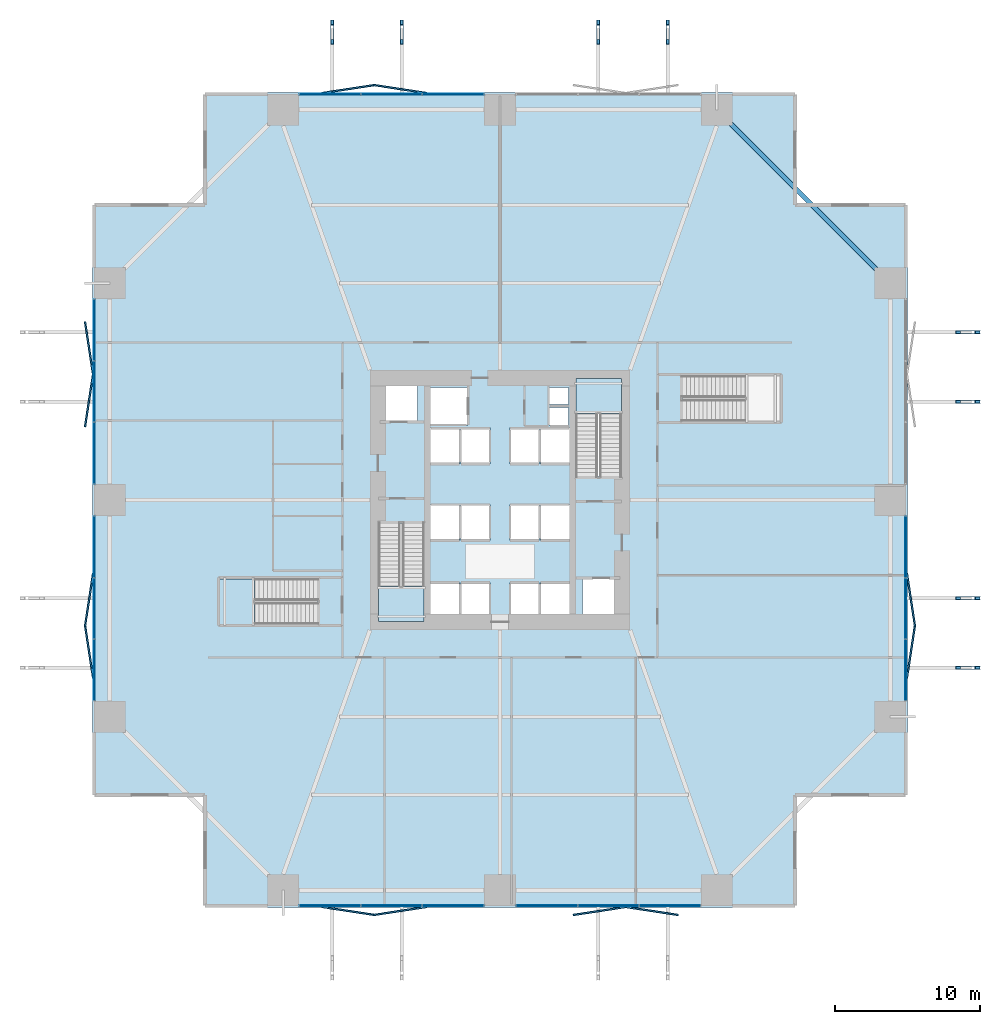
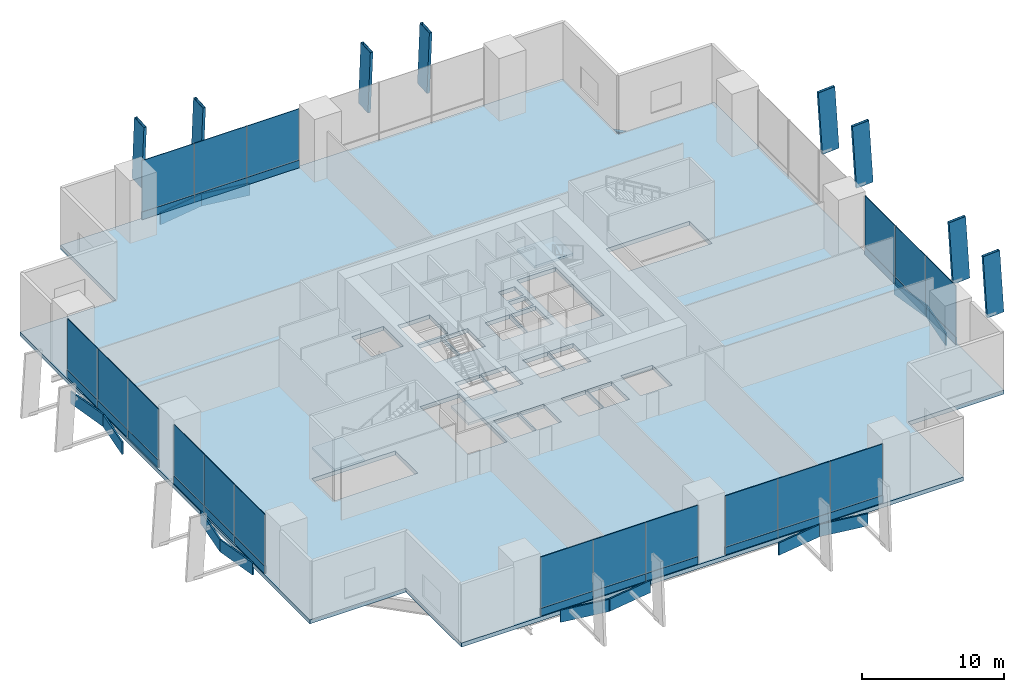
# One storey, part 18 of 24: 48 plates, 8 members, 4 slabs, 1 beam, 9 elements without a shape of their own.
"""IFC4 building model written with IfcOpenShell, lengths in metres."""

from ifc_helpers import new_model, si_unit, direction, frame, origin, origin_2d, place, context, subcontext, project, spatial, polyline, rectangle, hollow_rectangle, i_section, outline, extrude, material, layer, layer_set, material_profile, profile_set, type_object, element, aggregate, save


model = new_model("IFC4")

# Units and contexts
model_context = context("Model", 3, precision=1e-05, world=origin(), true_north=direction((0.0, 1.0)))
body_context = subcontext(model_context, "Body", "Model", "MODEL_VIEW")
ifc_project = project(units=[si_unit("LENGTHUNIT", "METRE"), si_unit("AREAUNIT", "SQUARE_METRE"), si_unit("VOLUMEUNIT", "CUBIC_METRE"), si_unit("PLANEANGLEUNIT", "RADIAN"), si_unit("MASSUNIT", "GRAM", prefix="KILO")], contexts=[model_context])

# Site, building, storey
site_placement = place(None, origin())
site = spatial("IfcSite", under=ifc_project, at=site_placement, CompositionType="ELEMENT")
building_placement = place(site_placement, origin())
building = spatial("IfcBuilding", under=site, at=building_placement, Name="Belovzor Exchange Tower", CompositionType="ELEMENT")
storey_placement = place(building_placement, frame((0.0, 0.0, 13.800048828125)))
storey = spatial("IfcBuildingStorey", under=building, at=storey_placement, Name="L03", CompositionType="ELEMENT", Elevation=13.800048828125)

# Members
ifc_material_1 = material(Name="Extruded Architectural Terracotta on Steel S355 Carrier", Category="masonry")
ifc_material_profile_1 = material_profile(ifc_material_1, hollow_rectangle(XDim=0.219970703125, YDim=1.35009765625, WallThickness=0.013916015625, at=origin_2d()))
ifc_profile_set_1 = profile_set([ifc_material_profile_1], Name="Extruded Architectural Terracotta on Steel S355 Carrier")
member_type = type_object("IfcMemberType", Name="Base Arc Sweeping Terracotta Pylon Fin 1450", PredefinedType="USERDEFINED", material=ifc_profile_set_1)
for number, where, z_axis, x_axis, name in (
    (1, (17.199951171875, 61.340087890625, -0.35009765625), (0.0, -0.062493460022, 0.998045373445), (1.0, 0.0, 0.0), "FIN-TC145 Terracotta Facade Fin L03 N1"),
    (2, (61.340087890625, 17.199951171875, -0.35009765625), (-0.062493460022, 0.0, 0.998045373445), (0.0, -1.0, 0.0), "FIN-TC145 Terracotta Facade Fin L03 E1"),
    (3, (22.0, 61.340087890625, -0.35009765625), (0.0, -0.062493460022, 0.998045373445), (1.0, 0.0, 0.0), "FIN-TC145 Terracotta Facade Fin L03 N2"),
    (4, (61.340087890625, 22.0, -0.35009765625), (-0.062493460022, 0.0, 0.998045373445), (0.0, -1.0, 0.0), "FIN-TC145 Terracotta Facade Fin L03 E2"),
    (5, (35.60009765625, 61.340087890625, -0.35009765625), (0.0, -0.062493460022, 0.998045373445), (1.0, 0.0, 0.0), "FIN-TC145 Terracotta Facade Fin L03 N3"),
    (6, (61.340087890625, 35.60009765625, -0.35009765625), (-0.062493460022, 0.0, 0.998045373445), (0.0, -1.0, 0.0), "FIN-TC145 Terracotta Facade Fin L03 E3"),
    (7, (40.39990234375, 61.340087890625, -0.35009765625), (0.0, -0.062493460022, 0.998045373445), (1.0, 0.0, 0.0), "FIN-TC145 Terracotta Facade Fin L03 N4"),
    (8, (61.340087890625, 40.39990234375, -0.35009765625), (-0.062493460022, 0.0, 0.998045373445), (0.0, -1.0, 0.0), "FIN-TC145 Terracotta Facade Fin L03 E4"),
):
    element("IfcMember", number, at=place(storey_placement, frame(where, z_axis=z_axis, x_axis=x_axis)), inside=storey, type_object=member_type, Name=name, ObjectType="FIN", PredefinedType="USERDEFINED", context=body_context, shape_type="SweptSolid", body=[
        extrude(hollow_rectangle(XDim=0.219970703125, YDim=1.35009765625, WallThickness=0.013916015625, at=origin_2d()), origin(), (0.0, 0.0, 1.0), 5.41064453125),
    ])

# Beam
ifc_material_2 = material(Name="Steel S460", Category="steel")
ifc_material_profile_2 = material_profile(ifc_material_2, i_section(OverallWidth=0.300048828125, OverallDepth=1.0, WebThickness=0.02099609375, FlangeThickness=0.0400390625, at=origin_2d()))
ifc_profile_set_2 = profile_set([ifc_material_profile_2], Name="Steel S460")
beam_type = type_object("IfcBeamType", Name="Podium Exchange Hall Ring Girder HEM 1000", PredefinedType="BEAM", material=ifc_profile_set_2)
beam_placement = place(storey_placement, frame((55.800048828125, 43.800048828125, -0.85009765625), z_axis=(-0.707106781187, 0.707106781187, 0.0), x_axis=(-0.707106781187, -0.707106781187, 0.0)))
element("IfcBeam", 9, at=beam_placement, inside=storey, type_object=beam_type, Name="PG-1 Podium Exchange Hall Ring Girder HEM 1000", PredefinedType="BEAM", context=body_context, shape_type="SweptSolid", body=[
    extrude(i_section(OverallWidth=0.300048828125, OverallDepth=1.0, WebThickness=0.02099609375, FlangeThickness=0.0400390625, at=origin_2d()), origin(), (0.0, 0.0, 1.0), 16.970458984375),
])

# Plates
ifc_material_3 = material(Name="Extruded Architectural Terracotta", Category="masonry")
ifc_layer_1 = layer(ifc_material_3, 0.1201171875)
ifc_layer_set_1 = layer_set([ifc_layer_1], Name="Extruded Architectural Terracotta")
plate_type_1 = type_object("IfcPlateType", Name="Folded Zigzag Terracotta Spandrel Louvre 80", PredefinedType="USERDEFINED", material=ifc_layer_set_1)
for number, where, z_axis, x_axis, name in (
    (10, (18.300048828125, 0.364990234375, -1.03515625), (0.0, 0.0, 1.0), (0.98853081729, -0.151019281113, 0.0), "LVR-ZZ1 Zigzag Terracotta Spandrel Louvre L03 S1A"),
    (11, (21.89990234375, 0.364990234375, -1.03515625), (0.0, 0.0, 1.0), (0.98853081729, 0.151019281113, 0.0), "LVR-ZZ1 Zigzag Terracotta Spandrel Louvre L03 S1B"),
    (12, (18.300048828125, 57.235107421875, -1.03515625), (0.0, 0.0, 1.0), (0.98853081729, 0.151019281113, 0.0), "LVR-ZZ1 Zigzag Terracotta Spandrel Louvre L03 N1A"),
    (13, (21.89990234375, 57.235107421875, -1.03515625), (0.0, 0.0, 1.0), (0.98853081729, -0.151019281113, 0.0), "LVR-ZZ1 Zigzag Terracotta Spandrel Louvre L03 N1B"),
    (14, (0.364990234375, 18.300048828125, -1.03515625), (0.0, 0.0, 1.0), (-0.151019281113, 0.98853081729, 0.0), "LVR-ZZ1 Zigzag Terracotta Spandrel Louvre L03 W1A"),
    (15, (0.364990234375, 21.89990234375, -1.03515625), (0.0, 0.0, 1.0), (0.151019281113, 0.98853081729, 0.0), "LVR-ZZ1 Zigzag Terracotta Spandrel Louvre L03 W1B"),
    (16, (57.235107421875, 18.300048828125, -1.03515625), (0.0, 0.0, 1.0), (0.151019281113, 0.98853081729, 0.0), "LVR-ZZ1 Zigzag Terracotta Spandrel Louvre L03 E1A"),
    (17, (57.235107421875, 21.89990234375, -1.03515625), (0.0, 0.0, 1.0), (-0.151019281113, 0.98853081729, 0.0), "LVR-ZZ1 Zigzag Terracotta Spandrel Louvre L03 E1B"),
    (18, (35.699951171875, 0.364990234375, -1.03515625), (0.0, 0.0, 1.0), (0.98853081729, 0.151019281113, 0.0), "LVR-ZZ1 Zigzag Terracotta Spandrel Louvre L03 S2A"),
    (19, (39.300048828125, 0.364990234375, -1.03515625), (0.0, 0.0, 1.0), (0.98853081729, -0.151019281113, 0.0), "LVR-ZZ1 Zigzag Terracotta Spandrel Louvre L03 S2B"),
    (20, (0.364990234375, 35.699951171875, -1.03515625), (0.0, 0.0, 1.0), (0.151019281113, 0.98853081729, 0.0), "LVR-ZZ1 Zigzag Terracotta Spandrel Louvre L03 W2A"),
    (21, (0.364990234375, 39.300048828125, -1.03515625), (0.0, 0.0, 1.0), (-0.151019281113, 0.98853081729, 0.0), "LVR-ZZ1 Zigzag Terracotta Spandrel Louvre L03 W2B"),
):
    element("IfcPlate", number, at=place(storey_placement, frame(where, z_axis=z_axis, x_axis=x_axis)), inside=storey, type_object=plate_type_1, Name=name, ObjectType="SPANDREL_LOUVRE", PredefinedType="USERDEFINED", context=body_context, shape_type="SweptSolid", body=[
        extrude(rectangle(XDim=3.721923828125, YDim=0.1201171875, at=origin_2d()), origin(), (0.0, 0.0, 1.0), 1.050048828125),
    ])

# Curtain wall, plates
ifc_material_4 = material(Name="Anodised Aluminium Framing", Category="aluminium")
ifc_layer_2 = layer(ifc_material_4, 0.219970703125)
ifc_layer_set_2 = layer_set([ifc_layer_2], Name="Anodised Aluminium Framing")
curtain_wall_type = type_object("IfcCurtainWallType", Name="Podium Clear-Span Exchange Hall Unitised Curtain Wall", PredefinedType="NOTDEFINED", material=ifc_layer_set_2)
curtain_wall_1_placement = place(storey_placement, origin())
curtain_wall_1 = element("IfcCurtainWall", 22, at=curtain_wall_1_placement, inside=storey, type_object=curtain_wall_type, Name="CW1 Podium Clear-Span Exchange Hall Unitised Curtain Wall L03", PredefinedType="NOTDEFINED")
ifc_material_5 = material(Name="Reconstituted Limestone Cassette", Category="masonry")
ifc_layer_3 = layer(ifc_material_5, 0.110107421875)
ifc_layer_set_3 = layer_set([ifc_layer_3], Name="Reconstituted Limestone Cassette")
plate_type_2 = type_object("IfcPlateType", Name="Insulated Stone-Faced Spandrel Cassette 110", PredefinedType="CURTAIN_PANEL", material=ifc_layer_set_3)
plate_1_placement = place(storey_placement, frame((25.56689453125, 0.72998046875, 0.0), z_axis=(0.0, 0.0, 1.0), x_axis=(-1.0, 0.0, 0.0)))
plate_1 = element("IfcPlate", 23, at=plate_1_placement, type_object=plate_type_2, Name="SPD-110 Spandrel Panel 1", PredefinedType="CURTAIN_PANEL", context=body_context, shape_type="SweptSolid", body=[
    extrude(rectangle(XDim=4.2509765625, YDim=0.110107421875, at=origin_2d()), origin(), (0.0, 0.0, 1.0), 0.64794921875),
])
plate_2_placement = place(storey_placement, frame((21.300048828125, 0.72998046875, 0.0), z_axis=(0.0, 0.0, 1.0), x_axis=(-1.0, 0.0, 0.0)))
plate_2 = element("IfcPlate", 24, at=plate_2_placement, type_object=plate_type_2, Name="SPD-110 Spandrel Panel 2", PredefinedType="CURTAIN_PANEL", context=body_context, shape_type="SweptSolid", body=[
    extrude(rectangle(XDim=4.2509765625, YDim=0.110107421875, at=origin_2d()), origin(), (0.0, 0.0, 1.0), 0.64794921875),
])
plate_3_placement = place(storey_placement, frame((17.032958984375, 0.72998046875, 0.0), z_axis=(0.0, 0.0, 1.0), x_axis=(-1.0, 0.0, 0.0)))
plate_3 = element("IfcPlate", 25, at=plate_3_placement, type_object=plate_type_2, Name="SPD-110 Spandrel Panel 3", PredefinedType="CURTAIN_PANEL", context=body_context, shape_type="SweptSolid", body=[
    extrude(rectangle(XDim=4.2509765625, YDim=0.110107421875, at=origin_2d()), origin(), (0.0, 0.0, 1.0), 0.64794921875),
])

curtain_wall_2_placement = place(storey_placement, origin())
curtain_wall_2 = element("IfcCurtainWall", 26, at=curtain_wall_2_placement, inside=storey, type_object=curtain_wall_type, Name="CW1 Podium Clear-Span Exchange Hall Unitised Curtain Wall L03", PredefinedType="NOTDEFINED")
plate_4_placement = place(storey_placement, frame((40.56689453125, 0.72998046875, 0.0), z_axis=(0.0, 0.0, 1.0), x_axis=(-1.0, 0.0, 0.0)))
plate_4 = element("IfcPlate", 27, at=plate_4_placement, type_object=plate_type_2, Name="SPD-110 Spandrel Panel 1", PredefinedType="CURTAIN_PANEL", context=body_context, shape_type="SweptSolid", body=[
    extrude(rectangle(XDim=4.2509765625, YDim=0.110107421875, at=origin_2d()), origin(), (0.0, 0.0, 1.0), 0.64794921875),
])
plate_5_placement = place(storey_placement, frame((36.300048828125, 0.72998046875, 0.0), z_axis=(0.0, 0.0, 1.0), x_axis=(-1.0, 0.0, 0.0)))
plate_5 = element("IfcPlate", 28, at=plate_5_placement, type_object=plate_type_2, Name="SPD-110 Spandrel Panel 2", PredefinedType="CURTAIN_PANEL", context=body_context, shape_type="SweptSolid", body=[
    extrude(rectangle(XDim=4.2509765625, YDim=0.110107421875, at=origin_2d()), origin(), (0.0, 0.0, 1.0), 0.64794921875),
])
plate_6_placement = place(storey_placement, frame((32.032958984375, 0.72998046875, 0.0), z_axis=(0.0, 0.0, 1.0), x_axis=(-1.0, 0.0, 0.0)))
plate_6 = element("IfcPlate", 29, at=plate_6_placement, type_object=plate_type_2, Name="SPD-110 Spandrel Panel 3", PredefinedType="CURTAIN_PANEL", context=body_context, shape_type="SweptSolid", body=[
    extrude(rectangle(XDim=4.2509765625, YDim=0.110107421875, at=origin_2d()), origin(), (0.0, 0.0, 1.0), 0.64794921875),
])

curtain_wall_3_placement = place(storey_placement, origin())
curtain_wall_3 = element("IfcCurtainWall", 30, at=curtain_wall_3_placement, inside=storey, type_object=curtain_wall_type, Name="CW1 Podium Clear-Span Exchange Hall Unitised Curtain Wall L03", PredefinedType="NOTDEFINED")
plate_7_placement = place(storey_placement, frame((17.032958984375, 56.8701171875, 0.0), z_axis=(0.0, 0.0, 1.0), x_axis=(1.0, 0.0, 0.0)))
plate_7 = element("IfcPlate", 31, at=plate_7_placement, type_object=plate_type_2, Name="SPD-110 Spandrel Panel 1", PredefinedType="CURTAIN_PANEL", context=body_context, shape_type="SweptSolid", body=[
    extrude(rectangle(XDim=4.2509765625, YDim=0.110107421875, at=origin_2d()), origin(), (0.0, 0.0, 1.0), 0.64794921875),
])
plate_8_placement = place(storey_placement, frame((21.300048828125, 56.8701171875, 0.0), z_axis=(0.0, 0.0, 1.0), x_axis=(1.0, 0.0, 0.0)))
plate_8 = element("IfcPlate", 32, at=plate_8_placement, type_object=plate_type_2, Name="SPD-110 Spandrel Panel 2", PredefinedType="CURTAIN_PANEL", context=body_context, shape_type="SweptSolid", body=[
    extrude(rectangle(XDim=4.2509765625, YDim=0.110107421875, at=origin_2d()), origin(), (0.0, 0.0, 1.0), 0.64794921875),
])
plate_9_placement = place(storey_placement, frame((25.56689453125, 56.8701171875, 0.0), z_axis=(0.0, 0.0, 1.0), x_axis=(1.0, 0.0, 0.0)))
plate_9 = element("IfcPlate", 33, at=plate_9_placement, type_object=plate_type_2, Name="SPD-110 Spandrel Panel 3", PredefinedType="CURTAIN_PANEL", context=body_context, shape_type="SweptSolid", body=[
    extrude(rectangle(XDim=4.2509765625, YDim=0.110107421875, at=origin_2d()), origin(), (0.0, 0.0, 1.0), 0.64794921875),
])

curtain_wall_4_placement = place(storey_placement, origin())
curtain_wall_4 = element("IfcCurtainWall", 34, at=curtain_wall_4_placement, inside=storey, type_object=curtain_wall_type, Name="CW1 Podium Clear-Span Exchange Hall Unitised Curtain Wall L03", PredefinedType="NOTDEFINED")
plate_10_placement = place(storey_placement, frame((0.72998046875, 17.032958984375, 0.0), z_axis=(0.0, 0.0, 1.0), x_axis=(0.0, 1.0, 0.0)))
plate_10 = element("IfcPlate", 35, at=plate_10_placement, type_object=plate_type_2, Name="SPD-110 Spandrel Panel 1", PredefinedType="CURTAIN_PANEL", context=body_context, shape_type="SweptSolid", body=[
    extrude(rectangle(XDim=4.2509765625, YDim=0.110107421875, at=origin_2d()), origin(), (0.0, 0.0, 1.0), 0.64794921875),
])
plate_11_placement = place(storey_placement, frame((0.72998046875, 21.300048828125, 0.0), z_axis=(0.0, 0.0, 1.0), x_axis=(0.0, 1.0, 0.0)))
plate_11 = element("IfcPlate", 36, at=plate_11_placement, type_object=plate_type_2, Name="SPD-110 Spandrel Panel 2", PredefinedType="CURTAIN_PANEL", context=body_context, shape_type="SweptSolid", body=[
    extrude(rectangle(XDim=4.2509765625, YDim=0.110107421875, at=origin_2d()), origin(), (0.0, 0.0, 1.0), 0.64794921875),
])
plate_12_placement = place(storey_placement, frame((0.72998046875, 25.56689453125, 0.0), z_axis=(0.0, 0.0, 1.0), x_axis=(0.0, 1.0, 0.0)))
plate_12 = element("IfcPlate", 37, at=plate_12_placement, type_object=plate_type_2, Name="SPD-110 Spandrel Panel 3", PredefinedType="CURTAIN_PANEL", context=body_context, shape_type="SweptSolid", body=[
    extrude(rectangle(XDim=4.2509765625, YDim=0.110107421875, at=origin_2d()), origin(), (0.0, 0.0, 1.0), 0.64794921875),
])

curtain_wall_5_placement = place(storey_placement, origin())
curtain_wall_5 = element("IfcCurtainWall", 38, at=curtain_wall_5_placement, inside=storey, type_object=curtain_wall_type, Name="CW1 Podium Clear-Span Exchange Hall Unitised Curtain Wall L03", PredefinedType="NOTDEFINED")
plate_13_placement = place(storey_placement, frame((0.72998046875, 32.032958984375, 0.0), z_axis=(0.0, 0.0, 1.0), x_axis=(0.0, 1.0, 0.0)))
plate_13 = element("IfcPlate", 39, at=plate_13_placement, type_object=plate_type_2, Name="SPD-110 Spandrel Panel 1", PredefinedType="CURTAIN_PANEL", context=body_context, shape_type="SweptSolid", body=[
    extrude(rectangle(XDim=4.2509765625, YDim=0.110107421875, at=origin_2d()), origin(), (0.0, 0.0, 1.0), 0.64794921875),
])
plate_14_placement = place(storey_placement, frame((0.72998046875, 36.300048828125, 0.0), z_axis=(0.0, 0.0, 1.0), x_axis=(0.0, 1.0, 0.0)))
plate_14 = element("IfcPlate", 40, at=plate_14_placement, type_object=plate_type_2, Name="SPD-110 Spandrel Panel 2", PredefinedType="CURTAIN_PANEL", context=body_context, shape_type="SweptSolid", body=[
    extrude(rectangle(XDim=4.2509765625, YDim=0.110107421875, at=origin_2d()), origin(), (0.0, 0.0, 1.0), 0.64794921875),
])
plate_15_placement = place(storey_placement, frame((0.72998046875, 40.56689453125, 0.0), z_axis=(0.0, 0.0, 1.0), x_axis=(0.0, 1.0, 0.0)))
plate_15 = element("IfcPlate", 41, at=plate_15_placement, type_object=plate_type_2, Name="SPD-110 Spandrel Panel 3", PredefinedType="CURTAIN_PANEL", context=body_context, shape_type="SweptSolid", body=[
    extrude(rectangle(XDim=4.2509765625, YDim=0.110107421875, at=origin_2d()), origin(), (0.0, 0.0, 1.0), 0.64794921875),
])

curtain_wall_6_placement = place(storey_placement, origin())
curtain_wall_6 = element("IfcCurtainWall", 42, at=curtain_wall_6_placement, inside=storey, type_object=curtain_wall_type, Name="CW1 Podium Clear-Span Exchange Hall Unitised Curtain Wall L03", PredefinedType="NOTDEFINED")
plate_16_placement = place(storey_placement, frame((56.8701171875, 25.56689453125, 0.0), z_axis=(0.0, 0.0, 1.0), x_axis=(0.0, -1.0, 0.0)))
plate_16 = element("IfcPlate", 43, at=plate_16_placement, type_object=plate_type_2, Name="SPD-110 Spandrel Panel 1", PredefinedType="CURTAIN_PANEL", context=body_context, shape_type="SweptSolid", body=[
    extrude(rectangle(XDim=4.2509765625, YDim=0.110107421875, at=origin_2d()), origin(), (0.0, 0.0, 1.0), 0.64794921875),
])
plate_17_placement = place(storey_placement, frame((56.8701171875, 21.300048828125, 0.0), z_axis=(0.0, 0.0, 1.0), x_axis=(0.0, -1.0, 0.0)))
plate_17 = element("IfcPlate", 44, at=plate_17_placement, type_object=plate_type_2, Name="SPD-110 Spandrel Panel 2", PredefinedType="CURTAIN_PANEL", context=body_context, shape_type="SweptSolid", body=[
    extrude(rectangle(XDim=4.2509765625, YDim=0.110107421875, at=origin_2d()), origin(), (0.0, 0.0, 1.0), 0.64794921875),
])
plate_18_placement = place(storey_placement, frame((56.8701171875, 17.032958984375, 0.0), z_axis=(0.0, 0.0, 1.0), x_axis=(0.0, -1.0, 0.0)))
plate_18 = element("IfcPlate", 45, at=plate_18_placement, type_object=plate_type_2, Name="SPD-110 Spandrel Panel 3", PredefinedType="CURTAIN_PANEL", context=body_context, shape_type="SweptSolid", body=[
    extrude(rectangle(XDim=4.2509765625, YDim=0.110107421875, at=origin_2d()), origin(), (0.0, 0.0, 1.0), 0.64794921875),
])

# Slab
ifc_material_6 = material(Name="Concrete C50/60", Category="concrete")
ifc_layer_4 = layer(ifc_material_6, 0.35009765625)
ifc_layer_set_4 = layer_set([ifc_layer_4], Name="Concrete C50/60")
slab_type_1 = type_object("IfcSlabType", Name="Reinforced Concrete Podium Hall Floor Slab 350", PredefinedType="FLOOR", material=ifc_layer_set_4)
slab_1_placement = place(storey_placement, frame((0.0, 0.0, -0.35009765625)))
element("IfcSlab", 46, at=slab_1_placement, inside=storey, type_object=slab_type_1, Name="SL-F350 Structural Slab L03", PredefinedType="FLOOR", context=body_context, shape_type="SweptSolid", body=[
    extrude(outline(polyline([(8.39990234375, 0.60009765625), (49.199951171875, 0.60009765625), (49.199951171875, 8.39990234375), (57.0, 8.39990234375), (57.0, 49.199951171875), (49.199951171875, 49.199951171875), (49.199951171875, 57.0), (8.39990234375, 57.0), (8.39990234375, 49.199951171875), (0.60009765625, 49.199951171875), (0.60009765625, 8.39990234375), (8.39990234375, 8.39990234375), (8.39990234375, 0.60009765625)]), holes=[polyline([(20.39990234375, 27.175048828125), (20.39990234375, 20.39990234375), (23.550048828125, 20.39990234375), (23.550048828125, 27.175048828125), (20.39990234375, 27.175048828125)]), polyline([(37.199951171875, 30.425048828125), (37.199951171875, 37.199951171875), (34.050048828125, 37.199951171875), (34.050048828125, 30.425048828125), (37.199951171875, 30.425048828125)]), polyline([(16.175048828125, 23.35009765625), (9.39990234375, 23.35009765625), (9.39990234375, 20.199951171875), (16.175048828125, 20.199951171875), (16.175048828125, 23.35009765625)]), polyline([(41.425048828125, 34.25), (48.199951171875, 34.25), (48.199951171875, 37.39990234375), (41.425048828125, 37.39990234375), (41.425048828125, 34.25)]), polyline([(20.5, 34.199951171875), (23.10009765625, 34.199951171875), (23.10009765625, 37.0), (20.5, 37.0), (20.5, 34.199951171875)]), polyline([(34.5, 20.60009765625), (37.10009765625, 20.60009765625), (37.10009765625, 23.39990234375), (34.5, 23.39990234375), (34.5, 20.60009765625)]), polyline([(24.0, 34.0), (26.60009765625, 34.0), (26.60009765625, 36.60009765625), (24.0, 36.60009765625), (24.0, 34.0)]), polyline([(24.0, 20.60009765625), (26.0, 20.60009765625), (26.0, 23.10009765625), (24.0, 23.10009765625), (24.0, 20.60009765625)]), polyline([(26.10009765625, 20.60009765625), (28.10009765625, 20.60009765625), (28.10009765625, 23.10009765625), (26.10009765625, 23.10009765625), (26.10009765625, 20.60009765625)]), polyline([(29.5, 20.60009765625), (31.5, 20.60009765625), (31.5, 23.10009765625), (29.5, 23.10009765625), (29.5, 20.60009765625)]), polyline([(31.60009765625, 20.60009765625), (33.60009765625, 20.60009765625), (33.60009765625, 23.10009765625), (31.60009765625, 23.10009765625), (31.60009765625, 20.60009765625)]), polyline([(24.0, 26.0), (26.0, 26.0), (26.0, 28.5), (24.0, 28.5), (24.0, 26.0)]), polyline([(26.10009765625, 26.0), (28.10009765625, 26.0), (28.10009765625, 28.5), (26.10009765625, 28.5), (26.10009765625, 26.0)]), polyline([(29.5, 26.0), (31.5, 26.0), (31.5, 28.5), (29.5, 28.5), (29.5, 26.0)]), polyline([(31.60009765625, 26.0), (33.60009765625, 26.0), (33.60009765625, 28.5), (31.60009765625, 28.5), (31.60009765625, 26.0)]), polyline([(24.0, 31.300048828125), (26.0, 31.300048828125), (26.0, 33.800048828125), (24.0, 33.800048828125), (24.0, 31.300048828125)]), polyline([(26.10009765625, 31.300048828125), (28.10009765625, 31.300048828125), (28.10009765625, 33.800048828125), (26.10009765625, 33.800048828125), (26.10009765625, 31.300048828125)]), polyline([(29.5, 31.300048828125), (31.5, 31.300048828125), (31.5, 33.800048828125), (29.5, 33.800048828125), (29.5, 31.300048828125)]), polyline([(31.60009765625, 31.300048828125), (33.60009765625, 31.300048828125), (33.60009765625, 33.800048828125), (31.60009765625, 33.800048828125), (31.60009765625, 31.300048828125)]), polyline([(32.199951171875, 34.0), (33.550048828125, 34.0), (33.550048828125, 35.199951171875), (32.199951171875, 35.199951171875), (32.199951171875, 34.0)]), polyline([(32.199951171875, 35.39990234375), (33.550048828125, 35.39990234375), (33.550048828125, 36.60009765625), (32.199951171875, 36.60009765625), (32.199951171875, 35.39990234375)])]), origin(), (0.0, 0.0, 1.0), 0.35009765625),
])

# Stair, slab
ifc_material_7 = material(Name="Concrete C40/50", Category="concrete")
stair_type_1 = type_object("IfcStairType", Name="Reinforced Concrete Dogleg Escape Stair 1350", PredefinedType="HALF_TURN_STAIR", material=ifc_material_7)
stair_1_placement = place(storey_placement, origin())
stair_1 = element("IfcStair", 47, at=stair_1_placement, inside=storey, type_object=stair_type_1, Name="L03 ST-1", PredefinedType="HALF_TURN_STAIR")
ifc_material_8 = material(Name="Concrete C40/50", Category="concrete")
ifc_layer_5 = layer(ifc_material_8, 0.199951171875)
ifc_layer_set_5 = layer_set([ifc_layer_5], Name="Concrete C40/50")
slab_type_2 = type_object("IfcSlabType", Name="Reinforced Concrete Stair Half-Landing Slab 200", PredefinedType="LANDING", material=ifc_layer_set_5)
slab_2_placement = place(storey_placement, frame((0.0, 0.0, 2.5)))
slab_2 = element("IfcSlab", 48, at=slab_2_placement, type_object=slab_type_2, Name="ST-1 landing 1", PredefinedType="LANDING", context=body_context, shape_type="SweptSolid", body=[
    extrude(outline(polyline([(20.39990234375, 22.85009765625), (20.39990234375, 20.39990234375), (23.550048828125, 20.39990234375), (23.550048828125, 22.85009765625), (20.39990234375, 22.85009765625)])), origin(), (0.0, 0.0, 1.0), 0.199951171875),
])
aggregate(stair_1, [slab_2])

stair_2_placement = place(storey_placement, origin())
stair_2 = element("IfcStair", 49, at=stair_2_placement, inside=storey, type_object=stair_type_1, Name="L03 ST-2", PredefinedType="HALF_TURN_STAIR")
slab_3_placement = place(storey_placement, frame((0.0, 0.0, 2.5)))
slab_3 = element("IfcSlab", 50, at=slab_3_placement, type_object=slab_type_2, Name="ST-2 landing 1", PredefinedType="LANDING", context=body_context, shape_type="SweptSolid", body=[
    extrude(outline(polyline([(37.199951171875, 34.75), (37.199951171875, 37.199951171875), (34.050048828125, 37.199951171875), (34.050048828125, 34.75), (37.199951171875, 34.75)])), origin(), (0.0, 0.0, 1.0), 0.199951171875),
])
aggregate(stair_2, [slab_3])

ifc_material_9 = material(Name="Concrete C40/50", Category="concrete")
stair_type_2 = type_object("IfcStairType", Name="Reinforced Concrete Podium Escape Stair 1400", PredefinedType="HALF_TURN_STAIR", material=ifc_material_9)
stair_3_placement = place(storey_placement, origin())
stair_3 = element("IfcStair", 51, at=stair_3_placement, inside=storey, type_object=stair_type_2, Name="L03 ST-3", PredefinedType="HALF_TURN_STAIR")
slab_4_placement = place(storey_placement, frame((0.0, 0.0, 2.5)))
slab_4 = element("IfcSlab", 52, at=slab_4_placement, type_object=slab_type_2, Name="ST-3 landing 1", PredefinedType="LANDING", context=body_context, shape_type="SweptSolid", body=[
    extrude(outline(polyline([(11.85009765625, 23.35009765625), (9.39990234375, 23.35009765625), (9.39990234375, 20.199951171875), (11.85009765625, 20.199951171875), (11.85009765625, 23.35009765625)])), origin(), (0.0, 0.0, 1.0), 0.199951171875),
])
aggregate(stair_3, [slab_4])

# Plate
ifc_material_10 = material(Name="Low-Iron Triple Glazing", Category="glass")
ifc_layer_6 = layer(ifc_material_10, 0.053955078125)
ifc_layer_set_6 = layer_set([ifc_layer_6], Name="Low-Iron Triple Glazing")
plate_type_3 = type_object("IfcPlateType", Name="Triple-Glazed Low-Iron Curtain Panel 54", PredefinedType="CURTAIN_PANEL", material=ifc_layer_set_6)
plate_19_placement = place(storey_placement, frame((25.56689453125, 0.72998046875, 0.65185546875), z_axis=(0.0, 0.0, 1.0), x_axis=(-1.0, 0.0, 0.0)))
plate_19 = element("IfcPlate", 53, at=plate_19_placement, type_object=plate_type_3, Name="GLZ-54 Glazed Curtain Panel 1", PredefinedType="CURTAIN_PANEL", context=body_context, shape_type="SweptSolid", body=[
    extrude(rectangle(XDim=4.2509765625, YDim=0.053955078125, at=origin_2d()), origin(), (0.0, 0.0, 1.0), 4.39794921875),
])

plate_20_placement = place(storey_placement, frame((21.300048828125, 0.72998046875, 0.65185546875), z_axis=(0.0, 0.0, 1.0), x_axis=(-1.0, 0.0, 0.0)))
plate_20 = element("IfcPlate", 54, at=plate_20_placement, type_object=plate_type_3, Name="GLZ-54 Glazed Curtain Panel 2", PredefinedType="CURTAIN_PANEL", context=body_context, shape_type="SweptSolid", body=[
    extrude(rectangle(XDim=4.2509765625, YDim=0.053955078125, at=origin_2d()), origin(), (0.0, 0.0, 1.0), 4.39794921875),
])

plate_21_placement = place(storey_placement, frame((17.032958984375, 0.72998046875, 0.65185546875), z_axis=(0.0, 0.0, 1.0), x_axis=(-1.0, 0.0, 0.0)))
plate_21 = element("IfcPlate", 55, at=plate_21_placement, type_object=plate_type_3, Name="GLZ-54 Glazed Curtain Panel 3", PredefinedType="CURTAIN_PANEL", context=body_context, shape_type="SweptSolid", body=[
    extrude(rectangle(XDim=4.2509765625, YDim=0.053955078125, at=origin_2d()), origin(), (0.0, 0.0, 1.0), 4.39794921875),
])

aggregate(curtain_wall_1, [plate_1, plate_19, plate_2, plate_20, plate_3, plate_21])

plate_22_placement = place(storey_placement, frame((40.56689453125, 0.72998046875, 0.65185546875), z_axis=(0.0, 0.0, 1.0), x_axis=(-1.0, 0.0, 0.0)))
plate_22 = element("IfcPlate", 56, at=plate_22_placement, type_object=plate_type_3, Name="GLZ-54 Glazed Curtain Panel 1", PredefinedType="CURTAIN_PANEL", context=body_context, shape_type="SweptSolid", body=[
    extrude(rectangle(XDim=4.2509765625, YDim=0.053955078125, at=origin_2d()), origin(), (0.0, 0.0, 1.0), 4.39794921875),
])

plate_23_placement = place(storey_placement, frame((36.300048828125, 0.72998046875, 0.65185546875), z_axis=(0.0, 0.0, 1.0), x_axis=(-1.0, 0.0, 0.0)))
plate_23 = element("IfcPlate", 57, at=plate_23_placement, type_object=plate_type_3, Name="GLZ-54 Glazed Curtain Panel 2", PredefinedType="CURTAIN_PANEL", context=body_context, shape_type="SweptSolid", body=[
    extrude(rectangle(XDim=4.2509765625, YDim=0.053955078125, at=origin_2d()), origin(), (0.0, 0.0, 1.0), 4.39794921875),
])

plate_24_placement = place(storey_placement, frame((32.032958984375, 0.72998046875, 0.65185546875), z_axis=(0.0, 0.0, 1.0), x_axis=(-1.0, 0.0, 0.0)))
plate_24 = element("IfcPlate", 58, at=plate_24_placement, type_object=plate_type_3, Name="GLZ-54 Glazed Curtain Panel 3", PredefinedType="CURTAIN_PANEL", context=body_context, shape_type="SweptSolid", body=[
    extrude(rectangle(XDim=4.2509765625, YDim=0.053955078125, at=origin_2d()), origin(), (0.0, 0.0, 1.0), 4.39794921875),
])

aggregate(curtain_wall_2, [plate_4, plate_22, plate_5, plate_23, plate_6, plate_24])

plate_25_placement = place(storey_placement, frame((17.032958984375, 56.8701171875, 0.65185546875), z_axis=(0.0, 0.0, 1.0), x_axis=(1.0, 0.0, 0.0)))
plate_25 = element("IfcPlate", 59, at=plate_25_placement, type_object=plate_type_3, Name="GLZ-54 Glazed Curtain Panel 1", PredefinedType="CURTAIN_PANEL", context=body_context, shape_type="SweptSolid", body=[
    extrude(rectangle(XDim=4.2509765625, YDim=0.053955078125, at=origin_2d()), origin(), (0.0, 0.0, 1.0), 4.39794921875),
])

plate_26_placement = place(storey_placement, frame((21.300048828125, 56.8701171875, 0.65185546875), z_axis=(0.0, 0.0, 1.0), x_axis=(1.0, 0.0, 0.0)))
plate_26 = element("IfcPlate", 60, at=plate_26_placement, type_object=plate_type_3, Name="GLZ-54 Glazed Curtain Panel 2", PredefinedType="CURTAIN_PANEL", context=body_context, shape_type="SweptSolid", body=[
    extrude(rectangle(XDim=4.2509765625, YDim=0.053955078125, at=origin_2d()), origin(), (0.0, 0.0, 1.0), 4.39794921875),
])

plate_27_placement = place(storey_placement, frame((25.56689453125, 56.8701171875, 0.65185546875), z_axis=(0.0, 0.0, 1.0), x_axis=(1.0, 0.0, 0.0)))
plate_27 = element("IfcPlate", 61, at=plate_27_placement, type_object=plate_type_3, Name="GLZ-54 Glazed Curtain Panel 3", PredefinedType="CURTAIN_PANEL", context=body_context, shape_type="SweptSolid", body=[
    extrude(rectangle(XDim=4.2509765625, YDim=0.053955078125, at=origin_2d()), origin(), (0.0, 0.0, 1.0), 4.39794921875),
])

aggregate(curtain_wall_3, [plate_7, plate_25, plate_8, plate_26, plate_9, plate_27])

plate_28_placement = place(storey_placement, frame((0.72998046875, 17.032958984375, 0.65185546875), z_axis=(0.0, 0.0, 1.0), x_axis=(0.0, 1.0, 0.0)))
plate_28 = element("IfcPlate", 62, at=plate_28_placement, type_object=plate_type_3, Name="GLZ-54 Glazed Curtain Panel 1", PredefinedType="CURTAIN_PANEL", context=body_context, shape_type="SweptSolid", body=[
    extrude(rectangle(XDim=4.2509765625, YDim=0.053955078125, at=origin_2d()), origin(), (0.0, 0.0, 1.0), 4.39794921875),
])

plate_29_placement = place(storey_placement, frame((0.72998046875, 21.300048828125, 0.65185546875), z_axis=(0.0, 0.0, 1.0), x_axis=(0.0, 1.0, 0.0)))
plate_29 = element("IfcPlate", 63, at=plate_29_placement, type_object=plate_type_3, Name="GLZ-54 Glazed Curtain Panel 2", PredefinedType="CURTAIN_PANEL", context=body_context, shape_type="SweptSolid", body=[
    extrude(rectangle(XDim=4.2509765625, YDim=0.053955078125, at=origin_2d()), origin(), (0.0, 0.0, 1.0), 4.39794921875),
])

plate_30_placement = place(storey_placement, frame((0.72998046875, 25.56689453125, 0.65185546875), z_axis=(0.0, 0.0, 1.0), x_axis=(0.0, 1.0, 0.0)))
plate_30 = element("IfcPlate", 64, at=plate_30_placement, type_object=plate_type_3, Name="GLZ-54 Glazed Curtain Panel 3", PredefinedType="CURTAIN_PANEL", context=body_context, shape_type="SweptSolid", body=[
    extrude(rectangle(XDim=4.2509765625, YDim=0.053955078125, at=origin_2d()), origin(), (0.0, 0.0, 1.0), 4.39794921875),
])

aggregate(curtain_wall_4, [plate_10, plate_28, plate_11, plate_29, plate_12, plate_30])

plate_31_placement = place(storey_placement, frame((0.72998046875, 32.032958984375, 0.65185546875), z_axis=(0.0, 0.0, 1.0), x_axis=(0.0, 1.0, 0.0)))
plate_31 = element("IfcPlate", 65, at=plate_31_placement, type_object=plate_type_3, Name="GLZ-54 Glazed Curtain Panel 1", PredefinedType="CURTAIN_PANEL", context=body_context, shape_type="SweptSolid", body=[
    extrude(rectangle(XDim=4.2509765625, YDim=0.053955078125, at=origin_2d()), origin(), (0.0, 0.0, 1.0), 4.39794921875),
])

plate_32_placement = place(storey_placement, frame((0.72998046875, 36.300048828125, 0.65185546875), z_axis=(0.0, 0.0, 1.0), x_axis=(0.0, 1.0, 0.0)))
plate_32 = element("IfcPlate", 66, at=plate_32_placement, type_object=plate_type_3, Name="GLZ-54 Glazed Curtain Panel 2", PredefinedType="CURTAIN_PANEL", context=body_context, shape_type="SweptSolid", body=[
    extrude(rectangle(XDim=4.2509765625, YDim=0.053955078125, at=origin_2d()), origin(), (0.0, 0.0, 1.0), 4.39794921875),
])

plate_33_placement = place(storey_placement, frame((0.72998046875, 40.56689453125, 0.65185546875), z_axis=(0.0, 0.0, 1.0), x_axis=(0.0, 1.0, 0.0)))
plate_33 = element("IfcPlate", 67, at=plate_33_placement, type_object=plate_type_3, Name="GLZ-54 Glazed Curtain Panel 3", PredefinedType="CURTAIN_PANEL", context=body_context, shape_type="SweptSolid", body=[
    extrude(rectangle(XDim=4.2509765625, YDim=0.053955078125, at=origin_2d()), origin(), (0.0, 0.0, 1.0), 4.39794921875),
])

aggregate(curtain_wall_5, [plate_13, plate_31, plate_14, plate_32, plate_15, plate_33])

plate_34_placement = place(storey_placement, frame((56.8701171875, 25.56689453125, 0.65185546875), z_axis=(0.0, 0.0, 1.0), x_axis=(0.0, -1.0, 0.0)))
plate_34 = element("IfcPlate", 68, at=plate_34_placement, type_object=plate_type_3, Name="GLZ-54 Glazed Curtain Panel 1", PredefinedType="CURTAIN_PANEL", context=body_context, shape_type="SweptSolid", body=[
    extrude(rectangle(XDim=4.2509765625, YDim=0.053955078125, at=origin_2d()), origin(), (0.0, 0.0, 1.0), 4.39794921875),
])

plate_35_placement = place(storey_placement, frame((56.8701171875, 21.300048828125, 0.65185546875), z_axis=(0.0, 0.0, 1.0), x_axis=(0.0, -1.0, 0.0)))
plate_35 = element("IfcPlate", 69, at=plate_35_placement, type_object=plate_type_3, Name="GLZ-54 Glazed Curtain Panel 2", PredefinedType="CURTAIN_PANEL", context=body_context, shape_type="SweptSolid", body=[
    extrude(rectangle(XDim=4.2509765625, YDim=0.053955078125, at=origin_2d()), origin(), (0.0, 0.0, 1.0), 4.39794921875),
])

plate_36_placement = place(storey_placement, frame((56.8701171875, 17.032958984375, 0.65185546875), z_axis=(0.0, 0.0, 1.0), x_axis=(0.0, -1.0, 0.0)))
plate_36 = element("IfcPlate", 70, at=plate_36_placement, type_object=plate_type_3, Name="GLZ-54 Glazed Curtain Panel 3", PredefinedType="CURTAIN_PANEL", context=body_context, shape_type="SweptSolid", body=[
    extrude(rectangle(XDim=4.2509765625, YDim=0.053955078125, at=origin_2d()), origin(), (0.0, 0.0, 1.0), 4.39794921875),
])

aggregate(curtain_wall_6, [plate_16, plate_34, plate_17, plate_35, plate_18, plate_36])

save(model, "model.ifc")
